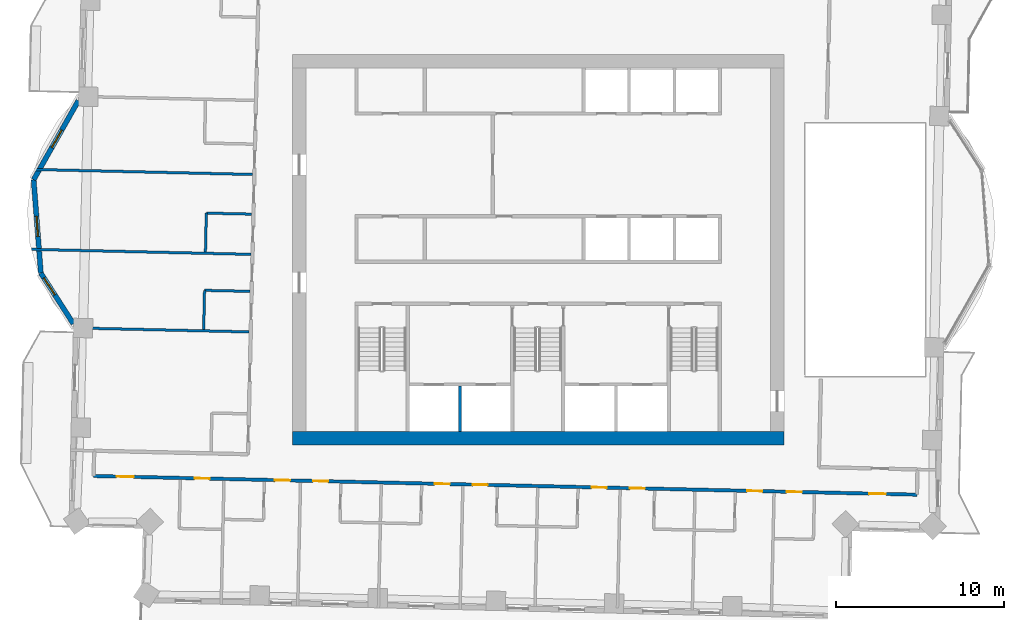
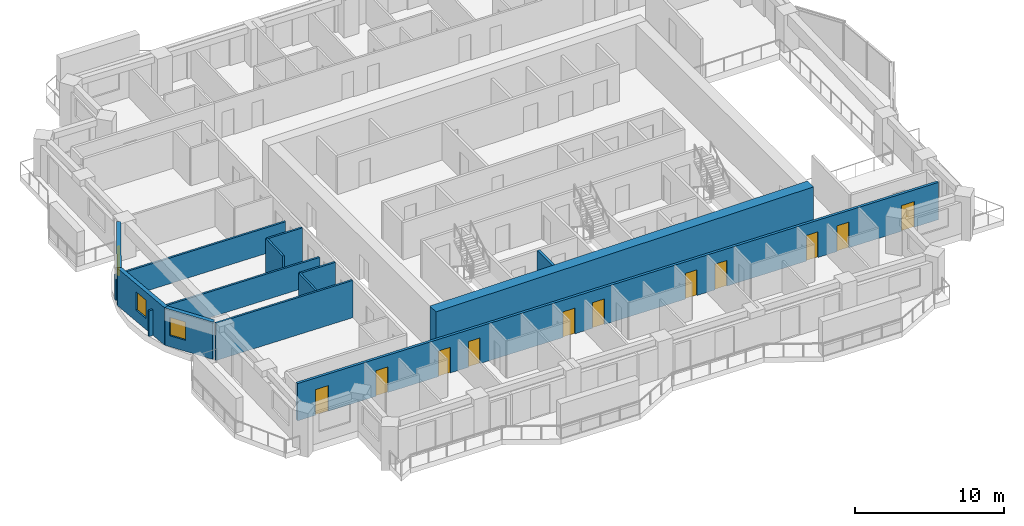
# One storey, part 7 of 16: 13 walls, 11 doors, 3 windows, 14 openings.
"""IFC4 building model written with IfcOpenShell, lengths in metres."""

from ifc_helpers import new_model, si_unit, direction, frame, frame_2d, origin, place, context, subcontext, project, spatial, rectangle, extrude, material, layer, layer_set, type_object, element, fill, save


model = new_model("IFC4")

# Units and contexts
model_context = context("Model", 3, precision=1e-05, world=origin(), true_north=direction((0.0, 1.0)))
body_context = subcontext(model_context, "Body", "Model", "MODEL_VIEW")
ifc_project = project(units=[si_unit("LENGTHUNIT", "METRE"), si_unit("AREAUNIT", "SQUARE_METRE"), si_unit("VOLUMEUNIT", "CUBIC_METRE"), si_unit("PLANEANGLEUNIT", "RADIAN"), si_unit("MASSUNIT", "GRAM", prefix="KILO")], contexts=[model_context])

# Site, building, storey
site_placement = place(None, origin())
site = spatial("IfcSite", under=ifc_project, at=site_placement, CompositionType="ELEMENT")
building_placement = place(site_placement, origin())
building = spatial("IfcBuilding", under=site, at=building_placement, Name="Mangrove Gate Tower", CompositionType="ELEMENT")
storey_placement = place(building_placement, frame((0.0, 0.0, 197.89990234375)))
storey = spatial("IfcBuildingStorey", under=building, at=storey_placement, Name="L50", CompositionType="ELEMENT", Elevation=197.89990234375)

# Walls
ifc_material_1 = material(Name="Concrete C60/75", Category="concrete")
ifc_layer_1 = layer(ifc_material_1, 0.199951171875)
ifc_layer_set_1 = layer_set([ifc_layer_1], Name="Core shaft wall 200 C60/75")
wall_type_1 = type_object("IfcWallType", Name="Core shaft wall 200 C60/75", PredefinedType="SHEAR", material=ifc_layer_set_1)
wall_1_placement = place(storey_placement, frame((-4.64990234375, -10.800048828125, 0.0), z_axis=(0.0, 0.0, 1.0), x_axis=(0.0, 1.0, 0.0)))
element("IfcWall", 1, at=wall_1_placement, inside=storey, type_object=wall_type_1, Name="WALL-L50-CORE-16", PredefinedType="SHEAR", context=body_context, shape_type="SweptSolid", body=[
    extrude(rectangle(XDim=2.699951171875, YDim=0.199951171875, at=frame_2d((1.35009765625, 0.0))), origin(), (0.0, 0.0, 1.0), 3.050048828125),
])
ifc_material_2 = material(Name="Concrete C60/75", Category="concrete")
ifc_layer_2 = layer(ifc_material_2, 0.800048828125)
ifc_layer_set_2 = layer_set([ifc_layer_2], Name="Core wall 800 C60/75")
wall_type_2 = type_object("IfcWallType", Name="Core wall 800 C60/75", PredefinedType="SHEAR", material=ifc_layer_set_2)
wall_2_placement = place(storey_placement, frame((-14.60009765625, -11.199951171875, 0.0), z_axis=(0.0, 0.0, 1.0), x_axis=(1.0, 0.0, 0.0)))
element("IfcWall", 2, at=wall_2_placement, inside=storey, type_object=wall_type_2, Name="WALL-L50-CORE-1", PredefinedType="SHEAR", context=body_context, shape_type="SweptSolid", body=[
    extrude(rectangle(XDim=29.2001953125, YDim=0.800048828125, at=frame_2d((14.60009765625, 0.0))), origin(), (0.0, 0.0, 1.0), 3.60009765625),
])

# Wall, openings, doors
ifc_material_3 = material(Name="Gypsum board on steel stud, EI 60", Category="steel")
ifc_layer_3 = layer(ifc_material_3, 0.199951171875)
ifc_layer_set_3 = layer_set([ifc_layer_3], Name="Corridor wall EI 60")
wall_type_3 = type_object("IfcWallType", Name="Corridor wall EI 60", PredefinedType="PARTITIONING", material=ifc_layer_set_3)
wall_3_placement = place(storey_placement, frame((-26.4208984375, -13.44091796875, 0.0), z_axis=(0.0, 0.0, 1.0), x_axis=(0.999742754064, -0.022680954485, 0.0)))
wall_3 = element("IfcWall", 3, at=wall_3_placement, inside=storey, type_object=wall_type_3, Name="WALL-L50-024", PredefinedType="PARTITIONING", context=body_context, shape_type="SweptSolid", body=[
    extrude(rectangle(XDim=48.944580078125, YDim=0.199951171875, at=frame_2d((24.47216796875, 0.0))), origin(), (0.0, 0.0, 1.0), 3.050048828125),
])
opening_1_placement = place(wall_3_placement, frame((1.375, 0.0, 0.0)))
opening_1 = element("IfcOpeningElement", 4, at=opening_1_placement, cuts=wall_3, Name="Opening AD", PredefinedType="OPENING", context=body_context, shape_type="SweptSolid", body=[
    extrude(rectangle(XDim=1.0, YDim=2.10009765625, at=frame_2d((0.5, 1.050048828125))), frame((0.0, 0.10986328125, 0.0), z_axis=(0.0, -1.0, 0.0), x_axis=(1.0, 0.0, 0.0)), (0.0, 0.0, 1.0), 0.219970703125),
])
opening_2_placement = place(wall_3_placement, frame((6.0, 0.0, 0.0)))
opening_2 = element("IfcOpeningElement", 5, at=opening_2_placement, cuts=wall_3, Name="Opening SD", PredefinedType="OPENING", context=body_context, shape_type="SweptSolid", body=[
    extrude(rectangle(XDim=0.89990234375, YDim=2.10009765625, at=frame_2d((0.449951171875, 1.050048828125))), frame((0.0, 0.10986328125, 0.0), z_axis=(0.0, -1.0, 0.0), x_axis=(1.0, 0.0, 0.0)), (0.0, 0.0, 1.0), 0.219970703125),
])
opening_3_placement = place(wall_3_placement, frame((10.77490234375, 0.0, 0.0)))
opening_3 = element("IfcOpeningElement", 6, at=opening_3_placement, cuts=wall_3, Name="Opening BD", PredefinedType="OPENING", context=body_context, shape_type="SweptSolid", body=[
    extrude(rectangle(XDim=0.89990234375, YDim=2.10009765625, at=frame_2d((0.449951171875, 1.050048828125))), frame((0.0, 0.10986328125, 0.0), z_axis=(0.0, -1.0, 0.0), x_axis=(1.0, 0.0, 0.0)), (0.0, 0.0, 1.0), 0.219970703125),
])
opening_4_placement = place(wall_3_placement, frame((13.050048828125, 0.0, 0.0)))
opening_4 = element("IfcOpeningElement", 7, at=opening_4_placement, cuts=wall_3, Name="Opening BD", PredefinedType="OPENING", context=body_context, shape_type="SweptSolid", body=[
    extrude(rectangle(XDim=0.89990234375, YDim=2.10009765625, at=frame_2d((0.449951171875, 1.050048828125))), frame((0.0, 0.10986328125, 0.0), z_axis=(0.0, -1.0, 0.0), x_axis=(1.0, 0.0, 0.0)), (0.0, 0.0, 1.0), 0.219970703125),
])
opening_5_placement = place(wall_3_placement, frame((20.27490234375, 0.0, 0.0)))
opening_5 = element("IfcOpeningElement", 8, at=opening_5_placement, cuts=wall_3, Name="Opening BD", PredefinedType="OPENING", context=body_context, shape_type="SweptSolid", body=[
    extrude(rectangle(XDim=0.89990234375, YDim=2.10009765625, at=frame_2d((0.449951171875, 1.050048828125))), frame((0.0, 0.10986328125, 0.0), z_axis=(0.0, -1.0, 0.0), x_axis=(1.0, 0.0, 0.0)), (0.0, 0.0, 1.0), 0.219970703125),
])
opening_6_placement = place(wall_3_placement, frame((22.52490234375, 0.0, 0.0)))
opening_6 = element("IfcOpeningElement", 9, at=opening_6_placement, cuts=wall_3, Name="Opening BD", PredefinedType="OPENING", context=body_context, shape_type="SweptSolid", body=[
    extrude(rectangle(XDim=0.89990234375, YDim=2.10009765625, at=frame_2d((0.449951171875, 1.050048828125))), frame((0.0, 0.10986328125, 0.0), z_axis=(0.0, -1.0, 0.0), x_axis=(1.0, 0.0, 0.0)), (0.0, 0.0, 1.0), 0.219970703125),
])
opening_7_placement = place(wall_3_placement, frame((29.60009765625, 0.0, 0.0)))
opening_7 = element("IfcOpeningElement", 10, at=opening_7_placement, cuts=wall_3, Name="Opening BD", PredefinedType="OPENING", context=body_context, shape_type="SweptSolid", body=[
    extrude(rectangle(XDim=0.89990234375, YDim=2.10009765625, at=frame_2d((0.449951171875, 1.050048828125))), frame((0.0, 0.10986328125, 0.0), z_axis=(0.0, -1.0, 0.0), x_axis=(1.0, 0.0, 0.0)), (0.0, 0.0, 1.0), 0.219970703125),
])
opening_8_placement = place(wall_3_placement, frame((31.875, 0.0, 0.0)))
opening_8 = element("IfcOpeningElement", 11, at=opening_8_placement, cuts=wall_3, Name="Opening BD", PredefinedType="OPENING", context=body_context, shape_type="SweptSolid", body=[
    extrude(rectangle(XDim=0.89990234375, YDim=2.10009765625, at=frame_2d((0.449951171875, 1.050048828125))), frame((0.0, 0.10986328125, 0.0), z_axis=(0.0, -1.0, 0.0), x_axis=(1.0, 0.0, 0.0)), (0.0, 0.0, 1.0), 0.219970703125),
])
opening_9_placement = place(wall_3_placement, frame((38.85009765625, 0.0, 0.0)))
opening_9 = element("IfcOpeningElement", 12, at=opening_9_placement, cuts=wall_3, Name="Opening BD", PredefinedType="OPENING", context=body_context, shape_type="SweptSolid", body=[
    extrude(rectangle(XDim=0.89990234375, YDim=2.10009765625, at=frame_2d((0.449951171875, 1.050048828125))), frame((0.0, 0.10986328125, 0.0), z_axis=(0.0, -1.0, 0.0), x_axis=(1.0, 0.0, 0.0)), (0.0, 0.0, 1.0), 0.219970703125),
])
opening_10_placement = place(wall_3_placement, frame((46.096923828125, 0.0, 0.0)))
opening_10 = element("IfcOpeningElement", 13, at=opening_10_placement, cuts=wall_3, Name="Opening AD", PredefinedType="OPENING", context=body_context, shape_type="SweptSolid", body=[
    extrude(rectangle(XDim=1.0, YDim=2.10009765625, at=frame_2d((0.5, 1.050048828125))), frame((0.0, 0.10986328125, 0.0), z_axis=(0.0, -1.0, 0.0), x_axis=(1.0, 0.0, 0.0)), (0.0, 0.0, 1.0), 0.219970703125),
])
opening_11_placement = place(wall_3_placement, frame((41.199951171875, 0.0, 0.0)))
opening_11 = element("IfcOpeningElement", 14, at=opening_11_placement, cuts=wall_3, Name="Opening SD", PredefinedType="OPENING", context=body_context, shape_type="SweptSolid", body=[
    extrude(rectangle(XDim=0.89990234375, YDim=2.10009765625, at=frame_2d((0.449951171875, 1.050048828125))), frame((0.0, 0.10986328125, 0.0), z_axis=(0.0, -1.0, 0.0), x_axis=(1.0, 0.0, 0.0)), (0.0, 0.0, 1.0), 0.219970703125),
])
ifc_material_4 = material(Name="Timber door leaf", Category="wood")
door_type_1 = type_object("IfcDoorType", Name="Amenity door 1000", OperationType="SINGLE_SWING_LEFT", PredefinedType="DOOR", material=ifc_material_4)
door_1_placement = place(opening_1_placement, origin())
door_1 = element("IfcDoor", 15, at=door_1_placement, inside=storey, type_object=door_type_1, Name="DOOR-L50-STU-c1a", OperationType="SINGLE_SWING_LEFT", OverallHeight=2.10009765625, OverallWidth=1.0, PredefinedType="DOOR", context=body_context, shape_type="SweptSolid", body=[
    extrude(rectangle(XDim=1.0, YDim=2.10009765625, at=frame_2d((0.5, 1.050048828125))), frame((0.0, 0.02490234375, 0.0), z_axis=(0.0, -1.0, 0.0), x_axis=(1.0, 0.0, 0.0)), (0.0, 0.0, 1.0), 0.050048828125),
])
fill(opening_1, door_1)
door_2_placement = place(opening_10_placement, origin())
door_2 = element("IfcDoor", 16, at=door_2_placement, inside=storey, type_object=door_type_1, Name="DOOR-L50-STU-c3a", OperationType="SINGLE_SWING_RIGHT", OverallHeight=2.10009765625, OverallWidth=1.0, PredefinedType="DOOR", context=body_context, shape_type="SweptSolid", body=[
    extrude(rectangle(XDim=1.0, YDim=2.10009765625, at=frame_2d((0.5, 1.050048828125))), frame((0.0, 0.02490234375, 0.0), z_axis=(0.0, -1.0, 0.0), x_axis=(1.0, 0.0, 0.0)), (0.0, 0.0, 1.0), 0.050048828125),
])
fill(opening_10, door_2)
ifc_material_5 = material(Name="Timber door leaf", Category="wood")
door_type_2 = type_object("IfcDoorType", Name="Bedroom door 900", OperationType="SINGLE_SWING_LEFT", PredefinedType="DOOR", material=ifc_material_5)
door_3_placement = place(opening_3_placement, origin())
door_3 = element("IfcDoor", 17, at=door_3_placement, inside=storey, type_object=door_type_2, Name="DOOR-L50-BED-c101", OperationType="SINGLE_SWING_LEFT", OverallHeight=2.10009765625, OverallWidth=0.89990234375, PredefinedType="DOOR", context=body_context, shape_type="SweptSolid", body=[
    extrude(rectangle(XDim=0.89990234375, YDim=2.10009765625, at=frame_2d((0.449951171875, 1.050048828125))), frame((0.0, 0.02490234375, 0.0), z_axis=(0.0, -1.0, 0.0), x_axis=(1.0, 0.0, 0.0)), (0.0, 0.0, 1.0), 0.050048828125),
])
fill(opening_3, door_3)
door_4_placement = place(opening_4_placement, origin())
door_4 = element("IfcDoor", 18, at=door_4_placement, inside=storey, type_object=door_type_2, Name="DOOR-L50-BED-c102", OperationType="SINGLE_SWING_RIGHT", OverallHeight=2.10009765625, OverallWidth=0.89990234375, PredefinedType="DOOR", context=body_context, shape_type="SweptSolid", body=[
    extrude(rectangle(XDim=0.89990234375, YDim=2.10009765625, at=frame_2d((0.449951171875, 1.050048828125))), frame((0.0, 0.02490234375, 0.0), z_axis=(0.0, -1.0, 0.0), x_axis=(1.0, 0.0, 0.0)), (0.0, 0.0, 1.0), 0.050048828125),
])
fill(opening_4, door_4)
door_5_placement = place(opening_5_placement, origin())
door_5 = element("IfcDoor", 19, at=door_5_placement, inside=storey, type_object=door_type_2, Name="DOOR-L50-BED-c103", OperationType="SINGLE_SWING_LEFT", OverallHeight=2.10009765625, OverallWidth=0.89990234375, PredefinedType="DOOR", context=body_context, shape_type="SweptSolid", body=[
    extrude(rectangle(XDim=0.89990234375, YDim=2.10009765625, at=frame_2d((0.449951171875, 1.050048828125))), frame((0.0, 0.02490234375, 0.0), z_axis=(0.0, -1.0, 0.0), x_axis=(1.0, 0.0, 0.0)), (0.0, 0.0, 1.0), 0.050048828125),
])
fill(opening_5, door_5)
door_6_placement = place(opening_6_placement, origin())
door_6 = element("IfcDoor", 20, at=door_6_placement, inside=storey, type_object=door_type_2, Name="DOOR-L50-BED-c204", OperationType="SINGLE_SWING_RIGHT", OverallHeight=2.10009765625, OverallWidth=0.89990234375, PredefinedType="DOOR", context=body_context, shape_type="SweptSolid", body=[
    extrude(rectangle(XDim=0.89990234375, YDim=2.10009765625, at=frame_2d((0.449951171875, 1.050048828125))), frame((0.0, 0.02490234375, 0.0), z_axis=(0.0, -1.0, 0.0), x_axis=(1.0, 0.0, 0.0)), (0.0, 0.0, 1.0), 0.050048828125),
])
fill(opening_6, door_6)
door_7_placement = place(opening_7_placement, origin())
door_7 = element("IfcDoor", 21, at=door_7_placement, inside=storey, type_object=door_type_2, Name="DOOR-L50-BED-c205", OperationType="SINGLE_SWING_LEFT", OverallHeight=2.10009765625, OverallWidth=0.89990234375, PredefinedType="DOOR", context=body_context, shape_type="SweptSolid", body=[
    extrude(rectangle(XDim=0.89990234375, YDim=2.10009765625, at=frame_2d((0.449951171875, 1.050048828125))), frame((0.0, 0.02490234375, 0.0), z_axis=(0.0, -1.0, 0.0), x_axis=(1.0, 0.0, 0.0)), (0.0, 0.0, 1.0), 0.050048828125),
])
fill(opening_7, door_7)
door_8_placement = place(opening_8_placement, origin())
door_8 = element("IfcDoor", 22, at=door_8_placement, inside=storey, type_object=door_type_2, Name="DOOR-L50-BED-c206", OperationType="SINGLE_SWING_RIGHT", OverallHeight=2.10009765625, OverallWidth=0.89990234375, PredefinedType="DOOR", context=body_context, shape_type="SweptSolid", body=[
    extrude(rectangle(XDim=0.89990234375, YDim=2.10009765625, at=frame_2d((0.449951171875, 1.050048828125))), frame((0.0, 0.02490234375, 0.0), z_axis=(0.0, -1.0, 0.0), x_axis=(1.0, 0.0, 0.0)), (0.0, 0.0, 1.0), 0.050048828125),
])
fill(opening_8, door_8)
door_9_placement = place(opening_9_placement, origin())
door_9 = element("IfcDoor", 23, at=door_9_placement, inside=storey, type_object=door_type_2, Name="DOOR-L50-BED-c307", OperationType="SINGLE_SWING_LEFT", OverallHeight=2.10009765625, OverallWidth=0.89990234375, PredefinedType="DOOR", context=body_context, shape_type="SweptSolid", body=[
    extrude(rectangle(XDim=0.89990234375, YDim=2.10009765625, at=frame_2d((0.449951171875, 1.050048828125))), frame((0.0, 0.02490234375, 0.0), z_axis=(0.0, -1.0, 0.0), x_axis=(1.0, 0.0, 0.0)), (0.0, 0.0, 1.0), 0.050048828125),
])
fill(opening_9, door_9)
ifc_material_6 = material(Name="Timber door leaf", Category="wood")
door_type_3 = type_object("IfcDoorType", Name="Service room door 900", OperationType="SINGLE_SWING_LEFT", PredefinedType="DOOR", material=ifc_material_6)
door_10_placement = place(opening_2_placement, origin())
door_10 = element("IfcDoor", 24, at=door_10_placement, inside=storey, type_object=door_type_3, Name="DOOR-L50-AWC-c1a", OperationType="SINGLE_SWING_LEFT", OverallHeight=2.10009765625, OverallWidth=0.89990234375, PredefinedType="DOOR", context=body_context, shape_type="SweptSolid", body=[
    extrude(rectangle(XDim=0.89990234375, YDim=2.10009765625, at=frame_2d((0.449951171875, 1.050048828125))), frame((0.0, 0.02490234375, 0.0), z_axis=(0.0, -1.0, 0.0), x_axis=(1.0, 0.0, 0.0)), (0.0, 0.0, 1.0), 0.050048828125),
])
fill(opening_2, door_10)
door_11_placement = place(opening_11_placement, origin())
door_11 = element("IfcDoor", 25, at=door_11_placement, inside=storey, type_object=door_type_3, Name="DOOR-L50-WC-c3a", OperationType="SINGLE_SWING_RIGHT", OverallHeight=2.10009765625, OverallWidth=0.89990234375, PredefinedType="DOOR", context=body_context, shape_type="SweptSolid", body=[
    extrude(rectangle(XDim=0.89990234375, YDim=2.10009765625, at=frame_2d((0.449951171875, 1.050048828125))), frame((0.0, 0.02490234375, 0.0), z_axis=(0.0, -1.0, 0.0), x_axis=(1.0, 0.0, 0.0)), (0.0, 0.0, 1.0), 0.050048828125),
])
fill(opening_11, door_11)

# Wall, opening, window
ifc_material_7 = material(Name="Limestone", Category="masonry")
ifc_layer_4 = layer(ifc_material_7, 0.0400390625, Name="Limestone cladding")
ifc_material_8 = material(Name="Ventilated air gap")
ifc_layer_5 = layer(ifc_material_8, 0.0400390625, Name="Ventilated cavity")
ifc_material_9 = material(Name="Mineral wool insulation")
ifc_layer_6 = layer(ifc_material_9, 0.06005859375, Name="Insulation")
ifc_material_10 = material(Name="Breather membrane")
ifc_layer_7 = layer(ifc_material_10, 0.001953125, Name="Breather membrane")
ifc_material_11 = material(Name="Concrete C20/25 blockwork", Category="masonry")
ifc_layer_8 = layer(ifc_material_11, 0.14990234375, Name="Blockwork backing wall")
ifc_material_12 = material(Name="Gypsum plaster")
ifc_layer_9 = layer(ifc_material_12, 0.008056640625, Name="Internal plaster")
ifc_layer_set_4 = layer_set([ifc_layer_4, ifc_layer_5, ifc_layer_6, ifc_layer_7, ifc_layer_8, ifc_layer_9], Name="External wall 300 limestone cladding")
wall_type_4 = type_object("IfcWallType", Name="External wall 300 limestone cladding", PredefinedType="SOLIDWALL", material=ifc_layer_set_4)
wall_4_placement = place(storey_placement, frame((-27.324951171875, 8.865966796875, 0.0), z_axis=(0.0, 0.0, 1.0), x_axis=(-0.492554919955, -0.870281363025, 0.0)))
wall_4 = element("IfcWall", 26, at=wall_4_placement, inside=storey, type_object=wall_type_4, Name="WALL-L50-W9f1", PredefinedType="SOLIDWALL", context=body_context, shape_type="SweptSolid", body=[
    extrude(rectangle(XDim=5.398193359375, YDim=0.300048828125, at=frame_2d((2.69921875, 0.0))), origin(), (0.0, 0.0, 1.0), 3.050048828125),
])
opening_12_placement = place(wall_4_placement, frame((2.008056640625, 0.0, 0.89990234375)))
opening_12 = element("IfcOpeningElement", 27, at=opening_12_placement, cuts=wall_4, Name="Opening W1", PredefinedType="OPENING", context=body_context, shape_type="SweptSolid", body=[
    extrude(rectangle(XDim=1.199951171875, YDim=1.5, at=frame_2d((0.60009765625, 0.75))), frame((0.0, 0.159912109375, 0.0), z_axis=(0.0, -1.0, 0.0), x_axis=(1.0, 0.0, 0.0)), (0.0, 0.0, 1.0), 0.320068359375),
])
ifc_material_13 = material(Name="Aluminium frame with double-glazed low-e glass", Category="aluminium")
window_type = type_object("IfcWindowType", Name="Side lite 1200x1500", PartitioningType="SINGLE_PANEL", PredefinedType="WINDOW", material=ifc_material_13)
window_1_placement = place(opening_12_placement, origin())
window_1 = element("IfcWindow", 28, at=window_1_placement, inside=storey, type_object=window_type, Name="WIN-L50-W9f1", OverallHeight=1.5, OverallWidth=1.199951171875, PartitioningType="SINGLE_PANEL", PredefinedType="WINDOW", context=body_context, shape_type="SweptSolid", body=[
    extrude(rectangle(XDim=1.199951171875, YDim=1.5, at=frame_2d((0.60009765625, 0.75))), frame((0.0, 0.030029296875, 0.0), z_axis=(0.0, -1.0, 0.0), x_axis=(1.0, 0.0, 0.0)), (0.0, 0.0, 1.0), 0.06005859375),
])
fill(opening_12, window_1)

wall_5_placement = place(storey_placement, frame((-29.98388671875, 4.16796875, 0.0), z_axis=(0.0, 0.0, 1.0), x_axis=(0.076964476481, -0.997033835614, 0.0)))
wall_5 = element("IfcWall", 29, at=wall_5_placement, inside=storey, type_object=wall_type_4, Name="WALL-L50-W9f2", PredefinedType="SOLIDWALL", context=body_context, shape_type="SweptSolid", body=[
    extrude(rectangle(XDim=5.573486328125, YDim=0.300048828125, at=frame_2d((2.78662109375, 0.0))), origin(), (0.0, 0.0, 1.0), 3.050048828125),
])
opening_13_placement = place(wall_5_placement, frame((2.18603515625, 0.0, 0.89990234375)))
opening_13 = element("IfcOpeningElement", 30, at=opening_13_placement, cuts=wall_5, Name="Opening W1", PredefinedType="OPENING", context=body_context, shape_type="SweptSolid", body=[
    extrude(rectangle(XDim=1.199951171875, YDim=1.5, at=frame_2d((0.60009765625, 0.75))), frame((0.0, 0.159912109375, 0.0), z_axis=(0.0, -1.0, 0.0), x_axis=(1.0, 0.0, 0.0)), (0.0, 0.0, 1.0), 0.320068359375),
])
window_2_placement = place(opening_13_placement, origin())
window_2 = element("IfcWindow", 31, at=window_2_placement, inside=storey, type_object=window_type, Name="WIN-L50-W9f2", OverallHeight=1.5, OverallWidth=1.199951171875, PartitioningType="SINGLE_PANEL", PredefinedType="WINDOW", context=body_context, shape_type="SweptSolid", body=[
    extrude(rectangle(XDim=1.199951171875, YDim=1.5, at=frame_2d((0.60009765625, 0.75))), frame((0.0, 0.030029296875, 0.0), z_axis=(0.0, -1.0, 0.0), x_axis=(1.0, 0.0, 0.0)), (0.0, 0.0, 1.0), 0.06005859375),
])
fill(opening_13, window_2)

wall_6_placement = place(storey_placement, frame((-29.554931640625, -1.388916015625, 0.0), z_axis=(0.0, 0.0, 1.0), x_axis=(0.540622779574, -0.8412651248, 0.0)))
wall_6 = element("IfcWall", 32, at=wall_6_placement, inside=storey, type_object=wall_type_4, Name="WALL-L50-W9f3", PredefinedType="SOLIDWALL", context=body_context, shape_type="SweptSolid", body=[
    extrude(rectangle(XDim=3.56982421875, YDim=0.300048828125, at=frame_2d((1.784912109375, 0.0))), origin(), (0.0, 0.0, 1.0), 3.050048828125),
])
opening_14_placement = place(wall_6_placement, frame((0.337890625, 0.0, 0.89990234375)))
opening_14 = element("IfcOpeningElement", 33, at=opening_14_placement, cuts=wall_6, Name="Opening W1", PredefinedType="OPENING", context=body_context, shape_type="SweptSolid", body=[
    extrude(rectangle(XDim=1.199951171875, YDim=1.5, at=frame_2d((0.60009765625, 0.75))), frame((0.0, 0.159912109375, 0.0), z_axis=(0.0, -1.0, 0.0), x_axis=(1.0, 0.0, 0.0)), (0.0, 0.0, 1.0), 0.320068359375),
])
window_3_placement = place(opening_14_placement, origin())
window_3 = element("IfcWindow", 34, at=window_3_placement, inside=storey, type_object=window_type, Name="WIN-L50-W9f3", OverallHeight=1.5, OverallWidth=1.199951171875, PartitioningType="SINGLE_PANEL", PredefinedType="WINDOW", context=body_context, shape_type="SweptSolid", body=[
    extrude(rectangle(XDim=1.199951171875, YDim=1.5, at=frame_2d((0.60009765625, 0.75))), frame((0.0, 0.030029296875, 0.0), z_axis=(0.0, -1.0, 0.0), x_axis=(1.0, 0.0, 0.0)), (0.0, 0.0, 1.0), 0.06005859375),
])
fill(opening_14, window_3)

# Walls
ifc_material_14 = material(Name="Gypsum board on steel stud, EI 60", Category="steel")
ifc_layer_10 = layer(ifc_material_14, 0.14990234375)
ifc_layer_set_5 = layer_set([ifc_layer_10], Name="Party wall 150 EI 60")
wall_type_5 = type_object("IfcWallType", Name="Party wall 150 EI 60", PredefinedType="PARTITIONING", material=ifc_layer_set_5)
wall_7_placement = place(storey_placement, frame((-27.62109375, -4.64111328125, 0.0), z_axis=(0.0, 0.0, 1.0), x_axis=(0.999742728106, -0.022682098664, 0.0)))
element("IfcWall", 35, at=wall_7_placement, inside=storey, type_object=wall_type_5, Name="WALL-L50-035", PredefinedType="PARTITIONING", context=body_context, shape_type="SweptSolid", body=[
    extrude(rectangle(XDim=10.440673828125, YDim=0.14990234375, at=frame_2d((5.22021484375, 0.0))), origin(), (0.0, 0.0, 1.0), 3.050048828125),
])
wall_8_placement = place(storey_placement, frame((-19.8798828125, -4.737060546875, 0.0), z_axis=(0.0, 0.0, 1.0), x_axis=(0.02279059109, 0.999740260747, 0.0)))
element("IfcWall", 36, at=wall_8_placement, inside=storey, type_object=wall_type_5, Name="WALL-L50-036", PredefinedType="PARTITIONING", context=body_context, shape_type="SweptSolid", body=[
    extrude(rectangle(XDim=2.324462890625, YDim=0.14990234375, at=frame_2d((1.162109375, 0.0))), origin(), (0.0, 0.0, 1.0), 3.050048828125),
])
wall_9_placement = place(storey_placement, frame((-19.827880859375, -2.407958984375, 0.0), z_axis=(0.0, 0.0, 1.0), x_axis=(0.99974458177, -0.022600248254, 0.0)))
element("IfcWall", 37, at=wall_9_placement, inside=storey, type_object=wall_type_5, Name="WALL-L50-037", PredefinedType="PARTITIONING", context=body_context, shape_type="SweptSolid", body=[
    extrude(rectangle(XDim=2.70068359375, YDim=0.14990234375, at=frame_2d((1.350341796875, 0.0))), origin(), (0.0, 0.0, 1.0), 3.050048828125),
])
wall_10_placement = place(storey_placement, frame((-19.77490234375, -0.137939453125, 0.0), z_axis=(0.0, 0.0, 1.0), x_axis=(0.02279059109, 0.999740260747, 0.0)))
element("IfcWall", 38, at=wall_10_placement, inside=storey, type_object=wall_type_5, Name="WALL-L50-038", PredefinedType="PARTITIONING", context=body_context, shape_type="SweptSolid", body=[
    extrude(rectangle(XDim=2.324462890625, YDim=0.14990234375, at=frame_2d((1.162109375, 0.0))), origin(), (0.0, 0.0, 1.0), 3.050048828125),
])
wall_11_placement = place(storey_placement, frame((-30.110107421875, 0.02587890625, 0.0), z_axis=(0.0, 0.0, 1.0), x_axis=(0.999743987427, -0.022626524343, 0.0)))
element("IfcWall", 39, at=wall_11_placement, inside=storey, type_object=wall_type_5, Name="WALL-L50-039", PredefinedType="PARTITIONING", context=body_context, shape_type="SweptSolid", body=[
    extrude(rectangle(XDim=13.034423828125, YDim=0.14990234375, at=frame_2d((6.51708984375, 0.0))), origin(), (0.0, 0.0, 1.0), 2.10009765625),
])
wall_12_placement = place(storey_placement, frame((-19.72412109375, 2.180908203125, 0.0), z_axis=(0.0, 0.0, 1.0), x_axis=(0.999746666054, -0.022507858937, 0.0)))
element("IfcWall", 40, at=wall_12_placement, inside=storey, type_object=wall_type_5, Name="WALL-L50-040", PredefinedType="PARTITIONING", context=body_context, shape_type="SweptSolid", body=[
    extrude(rectangle(XDim=2.700927734375, YDim=0.14990234375, at=frame_2d((1.3505859375, 0.0))), origin(), (0.0, 0.0, 1.0), 3.050048828125),
])
wall_13_placement = place(storey_placement, frame((-29.94091796875, 4.77392578125, 0.0), z_axis=(0.0, 0.0, 1.0), x_axis=(0.999741573163, -0.022732947207, 0.0)))
element("IfcWall", 41, at=wall_13_placement, inside=storey, type_object=wall_type_5, Name="WALL-L50-041", PredefinedType="PARTITIONING", context=body_context, shape_type="SweptSolid", body=[
    extrude(rectangle(XDim=12.973388671875, YDim=0.14990234375, at=frame_2d((6.48681640625, 0.0))), origin(), (0.0, 0.0, 1.0), 2.10009765625),
])

save(model, "model.ifc")
